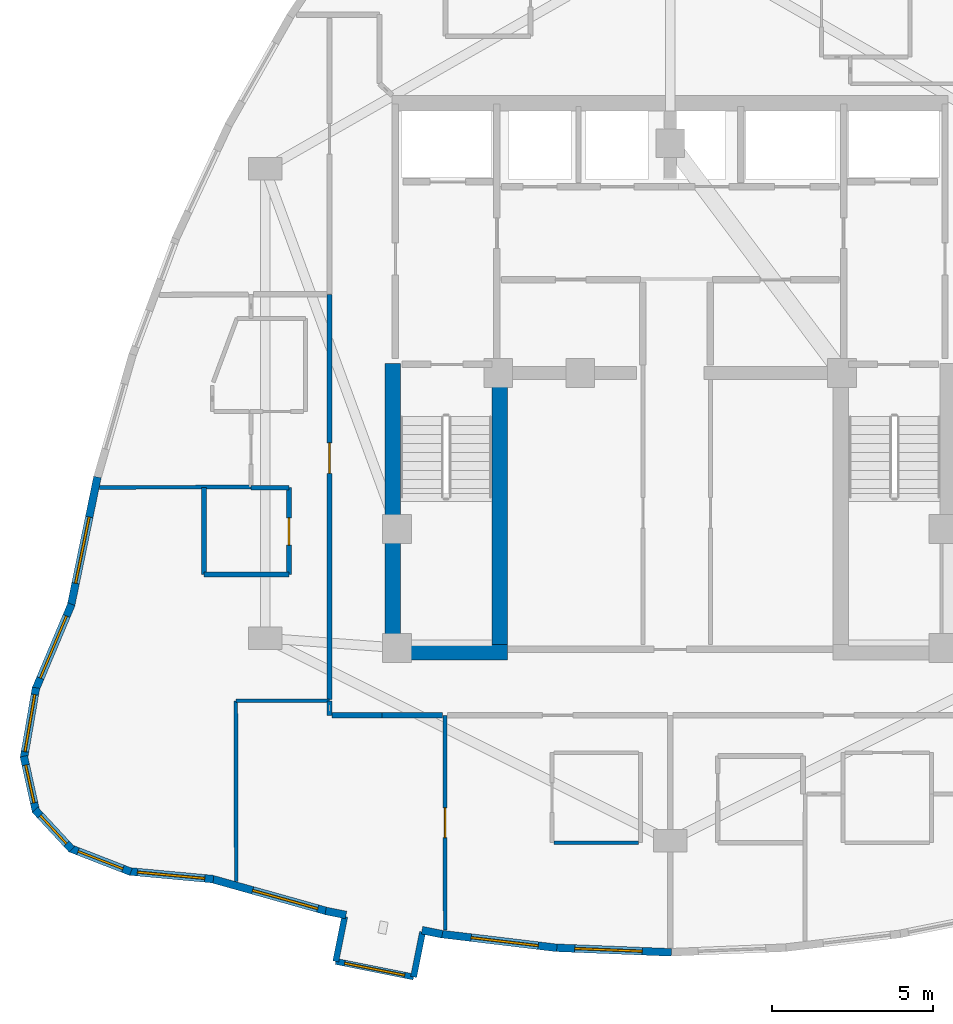
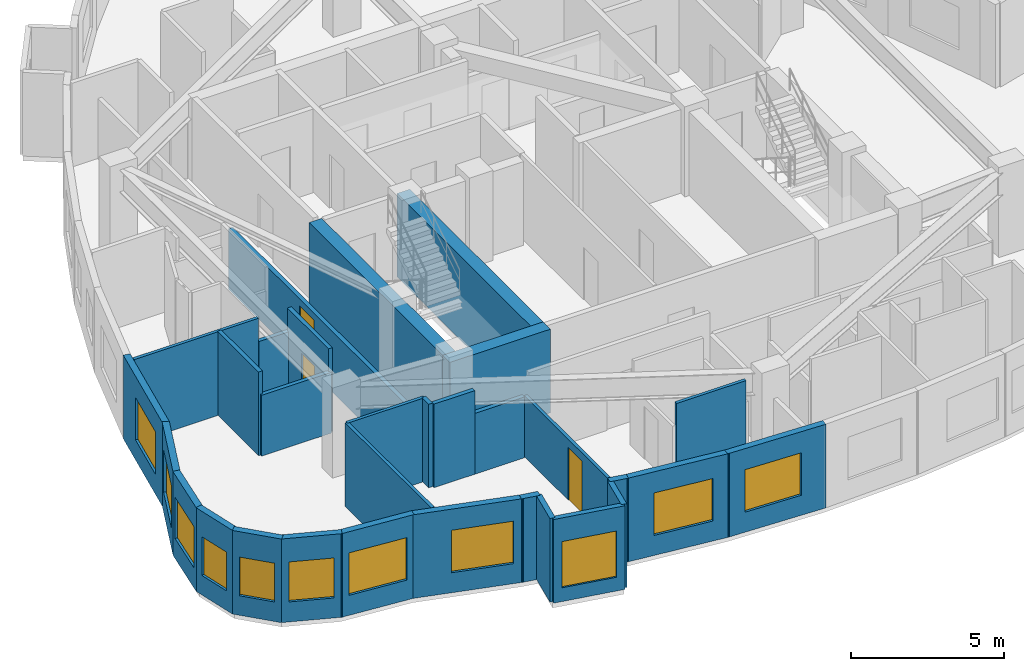
# One storey, part 7 of 13: 31 walls, 11 windows, 3 doors, 14 openings.
"""IFC4 building model written with IfcOpenShell, lengths in metres."""

from ifc_helpers import new_model, si_unit, direction, frame, frame_2d, origin, place, context, subcontext, project, spatial, rectangle, extrude, material, layer, layer_set, type_object, element, fill, save


model = new_model("IFC4")

# Units and contexts
model_context = context("Model", 3, precision=1e-05, world=origin(), true_north=direction((0.0, 1.0)))
body_context = subcontext(model_context, "Body", "Model", "MODEL_VIEW")
ifc_project = project(units=[si_unit("LENGTHUNIT", "METRE"), si_unit("AREAUNIT", "SQUARE_METRE"), si_unit("VOLUMEUNIT", "CUBIC_METRE"), si_unit("PLANEANGLEUNIT", "RADIAN"), si_unit("MASSUNIT", "GRAM", prefix="KILO")], contexts=[model_context])

# Site, building, storey
site_placement = place(None, origin())
site = spatial("IfcSite", under=ifc_project, at=site_placement, CompositionType="ELEMENT")
building_placement = place(site_placement, origin())
building = spatial("IfcBuilding", under=site, at=building_placement, Name="Miruveldt Soraemaru", CompositionType="ELEMENT")
storey_placement = place(building_placement, frame((0.0, 0.0, 198.0)))
storey = spatial("IfcBuildingStorey", under=building, at=storey_placement, Name="L54", CompositionType="ELEMENT", Elevation=198.0)

# Walls
ifc_material_1 = material(Name="White powder-coated aluminium EN AW-6060 T6", Category="aluminium")
ifc_layer_1 = layer(ifc_material_1, 0.18994140625, Name="White powder-coated aluminium EN AW-6060 T6", Category="aluminium")
ifc_layer_set_1 = layer_set([ifc_layer_1], Name="White powder-coated aluminium EN AW-6060 T6")
wall_type_1 = type_object("IfcWallType", Name="WALL-BAY-ALU190", PredefinedType="SOLIDWALL", material=ifc_layer_set_1)
for number, where, z_axis, x_axis, name in (
    (1, (33.871337890625, 27.138671875, 0.0), (0.0, 0.0, 1.0), (-0.196149079112, -0.980574086321, 0.0), "L54 Bay Window Side Cheek 2L"),
    (2, (36.014892578125, 25.256591796875, 0.0), (0.0, 0.0, 1.0), (0.195984352603, 0.980607022989, 0.0), "L54 Bay Window Side Cheek 2R"),
):
    element("IfcWall", number, at=place(storey_placement, frame(where, z_axis=z_axis, x_axis=x_axis)), inside=storey, type_object=wall_type_1, Name=name, PredefinedType="SOLIDWALL", context=body_context, shape_type="SweptSolid", body=[
        extrude(rectangle(XDim=1.425048828125, YDim=0.18994140625, at=frame_2d((0.71240234375, 0.0))), origin(), (0.0, 0.0, 1.0), 3.344970703125),
    ])

# Wall, opening, window
wall_1_placement = place(storey_placement, frame((33.591796875, 25.7412109375, 0.0), z_axis=(0.0, 0.0, 1.0), x_axis=(0.980580675691, -0.196116135138, 0.0)))
wall_1 = element("IfcWall", 3, at=wall_1_placement, inside=storey, type_object=wall_type_1, Name="L54 Bay Window Front Frame 2", PredefinedType="SOLIDWALL", context=body_context, shape_type="SweptSolid", body=[
    extrude(rectangle(XDim=2.47119140625, YDim=0.18994140625, at=frame_2d((1.235595703125, 0.0))), origin(), (0.0, 0.0, 1.0), 3.344970703125),
])
opening_1_placement = place(wall_1_placement, frame((0.284912109375, 0.0, 0.550048828125)))
opening_1 = element("IfcOpeningElement", 4, at=opening_1_placement, cuts=wall_1, Name="Opening WN-6", PredefinedType="OPENING", context=body_context, shape_type="SweptSolid", body=[
    extrude(rectangle(XDim=1.89990234375, YDim=1.85009765625, at=frame_2d((0.949951171875, 0.925048828125))), frame((0.0, 0.10498046875, 0.0), z_axis=(0.0, -1.0, 0.0), x_axis=(1.0, 0.0, 0.0)), (0.0, 0.0, 1.0), 0.2099609375),
])
ifc_material_2 = material(Name="Triple low-e insulated glazing", Category="glass")
window_type_1 = type_object("IfcWindowType", Name="WIN-BAYW-1900x1850", PartitioningType="SINGLE_PANEL", PredefinedType="WINDOW", material=ifc_material_2)
window_1_placement = place(opening_1_placement, origin())
window_1 = element("IfcWindow", 5, at=window_1_placement, inside=storey, type_object=window_type_1, Name="L54 Projecting Bay Window 2", OverallHeight=1.85009765625, OverallWidth=1.89990234375, PartitioningType="SINGLE_PANEL", PredefinedType="WINDOW", context=body_context, shape_type="SweptSolid", body=[
    extrude(rectangle(XDim=1.89990234375, YDim=1.85009765625, at=frame_2d((0.949951171875, 0.925048828125))), frame((0.0, 0.030029296875, 0.0), z_axis=(0.0, -1.0, 0.0), x_axis=(1.0, 0.0, 0.0)), (0.0, 0.0, 1.0), 0.06005859375),
])
fill(opening_1, window_1)

# Walls
ifc_material_3 = material(Name="Concrete C60/75 (60 MPa)", Category="concrete")
ifc_layer_2 = layer(ifc_material_3, 0.47998046875, Name="Concrete C60/75 (60 MPa)", Category="concrete")
ifc_layer_set_2 = layer_set([ifc_layer_2], Name="Concrete C60/75 (60 MPa)")
wall_type_2 = type_object("IfcWallType", Name="WALL-CW-480", PredefinedType="SHEAR", material=ifc_layer_set_2)
wall_2_placement = place(storey_placement, frame((35.1201171875, 35.360107421875, 0.0), z_axis=(0.0, 0.0, 1.0), x_axis=(1.0, 0.0, 0.0)))
element("IfcWall", 6, at=wall_2_placement, inside=storey, type_object=wall_type_2, Name="L54 Central Core Shear Wall S1", PredefinedType="SHEAR", context=body_context, shape_type="SweptSolid", body=[
    extrude(rectangle(XDim=3.809814453125, YDim=0.47998046875, at=frame_2d((1.90478515625, 0.0))), origin(), (0.0, 0.0, 1.0), 3.344970703125),
])
wall_3_placement = place(storey_placement, frame((35.360107421875, 35.1201171875, 0.0), z_axis=(0.0, 0.0, 1.0), x_axis=(0.0, 1.0, 0.0)))
element("IfcWall", 7, at=wall_3_placement, inside=storey, type_object=wall_type_2, Name="L54 Central Core Shear Wall W1", PredefinedType="SHEAR", context=body_context, shape_type="SweptSolid", body=[
    extrude(rectangle(XDim=9.22998046875, YDim=0.47998046875, at=frame_2d((4.614990234375, 0.0))), origin(), (0.0, 0.0, 1.0), 3.344970703125),
])
wall_4_placement = place(storey_placement, frame((38.68994140625, 35.39990234375, 0.0), z_axis=(0.0, 0.0, 1.0), x_axis=(0.0, 1.0, 0.0)))
element("IfcWall", 8, at=wall_4_placement, inside=storey, type_object=wall_type_2, Name="L54 Central Core Shear Wall SW-INT", PredefinedType="SHEAR", context=body_context, shape_type="SweptSolid", body=[
    extrude(rectangle(XDim=8.9501953125, YDim=0.47998046875, at=frame_2d((4.47509765625, 0.0))), origin(), (0.0, 0.0, 1.0), 3.344970703125),
])

# Wall, opening, window
ifc_material_4 = material(Name="Precast concrete C45/55 (45 MPa)", Category="concrete")
ifc_layer_3 = layer(ifc_material_4, 0.239990234375, Name="Precast concrete C45/55 (45 MPa)", Category="concrete")
ifc_layer_set_3 = layer_set([ifc_layer_3], Name="Precast concrete C45/55 (45 MPa)")
wall_type_3 = type_object("IfcWallType", Name="WALL-EXT-PC240", PredefinedType="SOLIDWALL", material=ifc_layer_set_3)
wall_5_placement = place(storey_placement, frame((26.177490234375, 40.814697265625, 0.0), z_axis=(0.0, 0.0, 1.0), x_axis=(-0.2015657063, -0.979474995109, 0.0)))
wall_5 = element("IfcWall", 9, at=wall_5_placement, inside=storey, type_object=wall_type_3, Name="L54 Precast Concrete Facade Wall 14", PredefinedType="SOLIDWALL", context=body_context, shape_type="SweptSolid", body=[
    extrude(rectangle(XDim=4.107177734375, YDim=0.239990234375, at=frame_2d((2.0537109375, 0.0))), origin(), (0.0, 0.0, 1.0), 3.344970703125),
])
opening_2_placement = place(wall_5_placement, frame((1.27490234375, 0.0, 0.800048828125)))
opening_2 = element("IfcOpeningElement", 10, at=opening_2_placement, cuts=wall_5, Name="Opening WN-1", PredefinedType="OPENING", context=body_context, shape_type="SweptSolid", body=[
    extrude(rectangle(XDim=2.10009765625, YDim=1.699951171875, at=frame_2d((1.050048828125, 0.85009765625))), frame((0.0, 0.1298828125, 0.0), z_axis=(0.0, -1.0, 0.0), x_axis=(1.0, 0.0, 0.0)), (0.0, 0.0, 1.0), 0.260009765625),
])
window_type_2 = type_object("IfcWindowType", Name="WIN-PUNCH-2100x1700", PartitioningType="SINGLE_PANEL", PredefinedType="WINDOW", material=ifc_material_2)
window_2_placement = place(opening_2_placement, origin())
window_2 = element("IfcWindow", 11, at=window_2_placement, inside=storey, type_object=window_type_2, Name="L54 Punched Triple-Glazed Window 14.1", OverallHeight=1.699951171875, OverallWidth=2.10009765625, PartitioningType="SINGLE_PANEL", PredefinedType="WINDOW", context=body_context, shape_type="SweptSolid", body=[
    extrude(rectangle(XDim=2.10009765625, YDim=1.699951171875, at=frame_2d((1.050048828125, 0.85009765625))), frame((0.0, 0.030029296875, 0.0), z_axis=(0.0, -1.0, 0.0), x_axis=(1.0, 0.0, 0.0)), (0.0, 0.0, 1.0), 0.06005859375),
])
fill(opening_2, window_2)

wall_6_placement = place(storey_placement, frame((25.370361328125, 36.858154296875, 0.0), z_axis=(0.0, 0.0, 1.0), x_axis=(-0.38865241966, -0.921384445654, 0.0)))
wall_6 = element("IfcWall", 12, at=wall_6_placement, inside=storey, type_object=wall_type_3, Name="L54 Precast Concrete Facade Wall 15", PredefinedType="SOLIDWALL", context=body_context, shape_type="SweptSolid", body=[
    extrude(rectangle(XDim=2.895751953125, YDim=0.239990234375, at=frame_2d((1.44775390625, 0.0))), origin(), (0.0, 0.0, 1.0), 3.344970703125),
])
opening_3_placement = place(wall_6_placement, frame((0.39794921875, 0.0, 0.800048828125)))
opening_3 = element("IfcOpeningElement", 13, at=opening_3_placement, cuts=wall_6, Name="Opening WN-1", PredefinedType="OPENING", context=body_context, shape_type="SweptSolid", body=[
    extrude(rectangle(XDim=2.10009765625, YDim=1.699951171875, at=frame_2d((1.050048828125, 0.85009765625))), frame((0.0, 0.1298828125, 0.0), z_axis=(0.0, -1.0, 0.0), x_axis=(1.0, 0.0, 0.0)), (0.0, 0.0, 1.0), 0.260009765625),
])
window_3_placement = place(opening_3_placement, origin())
window_3 = element("IfcWindow", 14, at=window_3_placement, inside=storey, type_object=window_type_2, Name="L54 Punched Triple-Glazed Window 15.1", OverallHeight=1.699951171875, OverallWidth=2.10009765625, PartitioningType="SINGLE_PANEL", PredefinedType="WINDOW", context=body_context, shape_type="SweptSolid", body=[
    extrude(rectangle(XDim=2.10009765625, YDim=1.699951171875, at=frame_2d((1.050048828125, 0.85009765625))), frame((0.0, 0.030029296875, 0.0), z_axis=(0.0, -1.0, 0.0), x_axis=(1.0, 0.0, 0.0)), (0.0, 0.0, 1.0), 0.06005859375),
])
fill(opening_3, window_3)

wall_7_placement = place(storey_placement, frame((24.264404296875, 34.256591796875, 0.0), z_axis=(0.0, 0.0, 1.0), x_axis=(-0.169346387862, -0.985556594477, 0.0)))
wall_7 = element("IfcWall", 15, at=wall_7_placement, inside=storey, type_object=wall_type_3, Name="L54 Precast Concrete Facade Wall 16", PredefinedType="SOLIDWALL", context=body_context, shape_type="SweptSolid", body=[
    extrude(rectangle(XDim=2.231689453125, YDim=0.239990234375, at=frame_2d((1.11572265625, 0.0))), origin(), (0.0, 0.0, 1.0), 3.344970703125),
])
opening_4_placement = place(wall_7_placement, frame((0.216064453125, 0.0, 0.800048828125)))
opening_4 = element("IfcOpeningElement", 16, at=opening_4_placement, cuts=wall_7, Name="Opening WN-2", PredefinedType="OPENING", context=body_context, shape_type="SweptSolid", body=[
    extrude(rectangle(XDim=1.800048828125, YDim=1.64990234375, at=frame_2d((0.89990234375, 0.824951171875))), frame((0.0, 0.1298828125, 0.0), z_axis=(0.0, -1.0, 0.0), x_axis=(1.0, 0.0, 0.0)), (0.0, 0.0, 1.0), 0.260009765625),
])
window_type_3 = type_object("IfcWindowType", Name="WIN-PUNCH-1800x1650", PartitioningType="SINGLE_PANEL", PredefinedType="WINDOW", material=ifc_material_2)
window_4_placement = place(opening_4_placement, origin())
window_4 = element("IfcWindow", 17, at=window_4_placement, inside=storey, type_object=window_type_3, Name="L54 Punched Triple-Glazed Window 16.1", OverallHeight=1.64990234375, OverallWidth=1.800048828125, PartitioningType="SINGLE_PANEL", PredefinedType="WINDOW", context=body_context, shape_type="SweptSolid", body=[
    extrude(rectangle(XDim=1.800048828125, YDim=1.64990234375, at=frame_2d((0.89990234375, 0.824951171875))), frame((0.0, 0.030029296875, 0.0), z_axis=(0.0, -1.0, 0.0), x_axis=(1.0, 0.0, 0.0)), (0.0, 0.0, 1.0), 0.06005859375),
])
fill(opening_4, window_4)

wall_8_placement = place(storey_placement, frame((23.884765625, 32.125732421875, 0.0), z_axis=(0.0, 0.0, 1.0), x_axis=(0.215818470806, -0.976433503962, 0.0)))
wall_8 = element("IfcWall", 18, at=wall_8_placement, inside=storey, type_object=wall_type_3, Name="L54 Precast Concrete Facade Wall 17", PredefinedType="SOLIDWALL", context=body_context, shape_type="SweptSolid", body=[
    extrude(rectangle(XDim=1.76708984375, YDim=0.239990234375, at=frame_2d((0.883544921875, 0.0))), origin(), (0.0, 0.0, 1.0), 3.344970703125),
])
opening_5_placement = place(wall_8_placement, frame((0.282958984375, 0.0, 0.780029296875)))
opening_5 = element("IfcOpeningElement", 19, at=opening_5_placement, cuts=wall_8, Name="Opening WN-4", PredefinedType="OPENING", context=body_context, shape_type="SweptSolid", body=[
    extrude(rectangle(XDim=1.199951171875, YDim=1.550048828125, at=frame_2d((0.60009765625, 0.77490234375))), frame((0.0, 0.1298828125, 0.0), z_axis=(0.0, -1.0, 0.0), x_axis=(1.0, 0.0, 0.0)), (0.0, 0.0, 1.0), 0.260009765625),
])
window_type_4 = type_object("IfcWindowType", Name="WIN-PUNCH-1200x1550", PartitioningType="SINGLE_PANEL", PredefinedType="WINDOW", material=ifc_material_2)
window_5_placement = place(opening_5_placement, origin())
window_5 = element("IfcWindow", 20, at=window_5_placement, inside=storey, type_object=window_type_4, Name="L54 Punched Triple-Glazed Window 17.1", OverallHeight=1.550048828125, OverallWidth=1.199951171875, PartitioningType="SINGLE_PANEL", PredefinedType="WINDOW", context=body_context, shape_type="SweptSolid", body=[
    extrude(rectangle(XDim=1.199951171875, YDim=1.550048828125, at=frame_2d((0.60009765625, 0.77490234375))), frame((0.0, 0.030029296875, 0.0), z_axis=(0.0, -1.0, 0.0), x_axis=(1.0, 0.0, 0.0)), (0.0, 0.0, 1.0), 0.06005859375),
])
fill(opening_5, window_5)

wall_9_placement = place(storey_placement, frame((24.234619140625, 30.460205078125, 0.0), z_axis=(0.0, 0.0, 1.0), x_axis=(0.680167597327, -0.733056641431, 0.0)))
wall_9 = element("IfcWall", 21, at=wall_9_placement, inside=storey, type_object=wall_type_3, Name="L54 Precast Concrete Facade Wall 18", PredefinedType="SOLIDWALL", context=body_context, shape_type="SweptSolid", body=[
    extrude(rectangle(XDim=1.684814453125, YDim=0.239990234375, at=frame_2d((0.84228515625, 0.0))), origin(), (0.0, 0.0, 1.0), 3.344970703125),
])
opening_6_placement = place(wall_9_placement, frame((0.241943359375, 0.0, 0.780029296875)))
opening_6 = element("IfcOpeningElement", 22, at=opening_6_placement, cuts=wall_9, Name="Opening WN-4", PredefinedType="OPENING", context=body_context, shape_type="SweptSolid", body=[
    extrude(rectangle(XDim=1.199951171875, YDim=1.550048828125, at=frame_2d((0.60009765625, 0.77490234375))), frame((0.0, 0.1298828125, 0.0), z_axis=(0.0, -1.0, 0.0), x_axis=(1.0, 0.0, 0.0)), (0.0, 0.0, 1.0), 0.260009765625),
])
window_6_placement = place(opening_6_placement, origin())
window_6 = element("IfcWindow", 23, at=window_6_placement, inside=storey, type_object=window_type_4, Name="L54 Punched Triple-Glazed Window 18.1", OverallHeight=1.550048828125, OverallWidth=1.199951171875, PartitioningType="SINGLE_PANEL", PredefinedType="WINDOW", context=body_context, shape_type="SweptSolid", body=[
    extrude(rectangle(XDim=1.199951171875, YDim=1.550048828125, at=frame_2d((0.60009765625, 0.77490234375))), frame((0.0, 0.030029296875, 0.0), z_axis=(0.0, -1.0, 0.0), x_axis=(1.0, 0.0, 0.0)), (0.0, 0.0, 1.0), 0.06005859375),
])
fill(opening_6, window_6)

wall_10_placement = place(storey_placement, frame((25.32421875, 29.263671875, 0.0), z_axis=(0.0, 0.0, 1.0), x_axis=(0.932261326856, -0.361785597349, 0.0)))
wall_10 = element("IfcWall", 24, at=wall_10_placement, inside=storey, type_object=wall_type_3, Name="L54 Precast Concrete Facade Wall 19", PredefinedType="SOLIDWALL", context=body_context, shape_type="SweptSolid", body=[
    extrude(rectangle(XDim=2.033203125, YDim=0.239990234375, at=frame_2d((1.0166015625, 0.0))), origin(), (0.0, 0.0, 1.0), 3.344970703125),
])
opening_7_placement = place(wall_10_placement, frame((0.26611328125, 0.0, 0.800048828125)))
opening_7 = element("IfcOpeningElement", 25, at=opening_7_placement, cuts=wall_10, Name="Opening WN-3", PredefinedType="OPENING", context=body_context, shape_type="SweptSolid", body=[
    extrude(rectangle(XDim=1.5, YDim=1.60009765625, at=frame_2d((0.75, 0.800048828125))), frame((0.0, 0.1298828125, 0.0), z_axis=(0.0, -1.0, 0.0), x_axis=(1.0, 0.0, 0.0)), (0.0, 0.0, 1.0), 0.260009765625),
])
window_type_5 = type_object("IfcWindowType", Name="WIN-PUNCH-1500x1600", PartitioningType="SINGLE_PANEL", PredefinedType="WINDOW", material=ifc_material_2)
window_7_placement = place(opening_7_placement, origin())
window_7 = element("IfcWindow", 26, at=window_7_placement, inside=storey, type_object=window_type_5, Name="L54 Punched Triple-Glazed Window 19.1", OverallHeight=1.60009765625, OverallWidth=1.5, PartitioningType="SINGLE_PANEL", PredefinedType="WINDOW", context=body_context, shape_type="SweptSolid", body=[
    extrude(rectangle(XDim=1.5, YDim=1.60009765625, at=frame_2d((0.75, 0.800048828125))), frame((0.0, 0.030029296875, 0.0), z_axis=(0.0, -1.0, 0.0), x_axis=(1.0, 0.0, 0.0)), (0.0, 0.0, 1.0), 0.06005859375),
])
fill(opening_7, window_7)

wall_11_placement = place(storey_placement, frame((27.15234375, 28.5439453125, 0.0), z_axis=(0.0, 0.0, 1.0), x_axis=(0.995760434539, -0.091984547654, 0.0)))
wall_11 = element("IfcWall", 27, at=wall_11_placement, inside=storey, type_object=wall_type_3, Name="L54 Precast Concrete Facade Wall 20", PredefinedType="SOLIDWALL", context=body_context, shape_type="SweptSolid", body=[
    extrude(rectangle(XDim=2.6435546875, YDim=0.239990234375, at=frame_2d((1.32177734375, 0.0))), origin(), (0.0, 0.0, 1.0), 3.344970703125),
])
opening_8_placement = place(wall_11_placement, frame((0.27197265625, 0.0, 0.800048828125)))
opening_8 = element("IfcOpeningElement", 28, at=opening_8_placement, cuts=wall_11, Name="Opening WN-1", PredefinedType="OPENING", context=body_context, shape_type="SweptSolid", body=[
    extrude(rectangle(XDim=2.10009765625, YDim=1.699951171875, at=frame_2d((1.050048828125, 0.85009765625))), frame((0.0, 0.1298828125, 0.0), z_axis=(0.0, -1.0, 0.0), x_axis=(1.0, 0.0, 0.0)), (0.0, 0.0, 1.0), 0.260009765625),
])
window_8_placement = place(opening_8_placement, origin())
window_8 = element("IfcWindow", 29, at=window_8_placement, inside=storey, type_object=window_type_2, Name="L54 Punched Triple-Glazed Window 20.1", OverallHeight=1.699951171875, OverallWidth=2.10009765625, PartitioningType="SINGLE_PANEL", PredefinedType="WINDOW", context=body_context, shape_type="SweptSolid", body=[
    extrude(rectangle(XDim=2.10009765625, YDim=1.699951171875, at=frame_2d((1.050048828125, 0.85009765625))), frame((0.0, 0.030029296875, 0.0), z_axis=(0.0, -1.0, 0.0), x_axis=(1.0, 0.0, 0.0)), (0.0, 0.0, 1.0), 0.06005859375),
])
fill(opening_8, window_8)

wall_12_placement = place(storey_placement, frame((29.716064453125, 28.3134765625, 0.0), z_axis=(0.0, 0.0, 1.0), x_axis=(0.962964692372, -0.26962752316, 0.0)))
wall_12 = element("IfcWall", 30, at=wall_12_placement, inside=storey, type_object=wall_type_3, Name="L54 Precast Concrete Facade Wall 21", PredefinedType="SOLIDWALL", context=body_context, shape_type="SweptSolid", body=[
    extrude(rectangle(XDim=3.76953125, YDim=0.239990234375, at=frame_2d((1.884765625, 0.0))), origin(), (0.0, 0.0, 1.0), 3.344970703125),
])
opening_9_placement = place(wall_12_placement, frame((1.341064453125, 0.0, 0.800048828125)))
opening_9 = element("IfcOpeningElement", 31, at=opening_9_placement, cuts=wall_12, Name="Opening WN-1", PredefinedType="OPENING", context=body_context, shape_type="SweptSolid", body=[
    extrude(rectangle(XDim=2.10009765625, YDim=1.699951171875, at=frame_2d((1.050048828125, 0.85009765625))), frame((0.0, 0.1298828125, 0.0), z_axis=(0.0, -1.0, 0.0), x_axis=(1.0, 0.0, 0.0)), (0.0, 0.0, 1.0), 0.260009765625),
])
window_9_placement = place(opening_9_placement, origin())
window_9 = element("IfcWindow", 32, at=window_9_placement, inside=storey, type_object=window_type_2, Name="L54 Punched Triple-Glazed Window 21.1", OverallHeight=1.699951171875, OverallWidth=2.10009765625, PartitioningType="SINGLE_PANEL", PredefinedType="WINDOW", context=body_context, shape_type="SweptSolid", body=[
    extrude(rectangle(XDim=2.10009765625, YDim=1.699951171875, at=frame_2d((1.050048828125, 0.85009765625))), frame((0.0, 0.030029296875, 0.0), z_axis=(0.0, -1.0, 0.0), x_axis=(1.0, 0.0, 0.0)), (0.0, 0.0, 1.0), 0.06005859375),
])
fill(opening_9, window_9)

# Walls
wall_13_placement = place(storey_placement, frame((33.278076171875, 27.3134765625, 0.0), z_axis=(0.0, 0.0, 1.0), x_axis=(0.980507945873, -0.19647943424, 0.0)))
element("IfcWall", 33, at=wall_13_placement, inside=storey, type_object=wall_type_3, Name="L54 Precast Pier Wall 22A", PredefinedType="SOLIDWALL", context=body_context, shape_type="SweptSolid", body=[
    extrude(rectangle(XDim=0.646240234375, YDim=0.239990234375, at=frame_2d((0.3232421875, 0.0))), origin(), (0.0, 0.0, 1.0), 3.344970703125),
])
wall_14_placement = place(storey_placement, frame((36.275634765625, 26.7138671875, 0.0), z_axis=(0.0, 0.0, 1.0), x_axis=(0.980580675691, -0.196116135138, 0.0)))
element("IfcWall", 34, at=wall_14_placement, inside=storey, type_object=wall_type_3, Name="L54 Precast Pier Wall 22B", PredefinedType="SOLIDWALL", context=body_context, shape_type="SweptSolid", body=[
    extrude(rectangle(XDim=0.64599609375, YDim=0.239990234375, at=frame_2d((0.322998046875, 0.0))), origin(), (0.0, 0.0, 1.0), 3.344970703125),
])

# Wall, opening, window
wall_15_placement = place(storey_placement, frame((36.840087890625, 26.59814453125, 0.0), z_axis=(0.0, 0.0, 1.0), x_axis=(0.992878733164, -0.119129430577, 0.0)))
wall_15 = element("IfcWall", 35, at=wall_15_placement, inside=storey, type_object=wall_type_3, Name="L54 Precast Concrete Facade Wall 23", PredefinedType="SOLIDWALL", context=body_context, shape_type="SweptSolid", body=[
    extrude(rectangle(XDim=3.658203125, YDim=0.239990234375, at=frame_2d((1.8291015625, 0.0))), origin(), (0.0, 0.0, 1.0), 3.344970703125),
])
opening_10_placement = place(wall_15_placement, frame((0.970947265625, 0.0, 0.800048828125)))
opening_10 = element("IfcOpeningElement", 36, at=opening_10_placement, cuts=wall_15, Name="Opening WN-1", PredefinedType="OPENING", context=body_context, shape_type="SweptSolid", body=[
    extrude(rectangle(XDim=2.10009765625, YDim=1.699951171875, at=frame_2d((1.050048828125, 0.85009765625))), frame((0.0, 0.1298828125, 0.0), z_axis=(0.0, -1.0, 0.0), x_axis=(1.0, 0.0, 0.0)), (0.0, 0.0, 1.0), 0.260009765625),
])
window_10_placement = place(opening_10_placement, origin())
window_10 = element("IfcWindow", 37, at=window_10_placement, inside=storey, type_object=window_type_2, Name="L54 Punched Triple-Glazed Window 23.1", OverallHeight=1.699951171875, OverallWidth=2.10009765625, PartitioningType="SINGLE_PANEL", PredefinedType="WINDOW", context=body_context, shape_type="SweptSolid", body=[
    extrude(rectangle(XDim=2.10009765625, YDim=1.699951171875, at=frame_2d((1.050048828125, 0.85009765625))), frame((0.0, 0.030029296875, 0.0), z_axis=(0.0, -1.0, 0.0), x_axis=(1.0, 0.0, 0.0)), (0.0, 0.0, 1.0), 0.06005859375),
])
fill(opening_10, window_10)

wall_16_placement = place(storey_placement, frame((40.40234375, 26.16796875, 0.0), z_axis=(0.0, 0.0, 1.0), x_axis=(0.999201387771, -0.039957310688, 0.0)))
wall_16 = element("IfcWall", 38, at=wall_16_placement, inside=storey, type_object=wall_type_3, Name="L54 Precast Concrete Facade Wall 24", PredefinedType="SOLIDWALL", context=body_context, shape_type="SweptSolid", body=[
    extrude(rectangle(XDim=3.635498046875, YDim=0.239990234375, at=frame_2d((1.81787109375, 0.0))), origin(), (0.0, 0.0, 1.0), 3.344970703125),
])
opening_11_placement = place(wall_16_placement, frame((0.626953125, 0.0, 0.800048828125)))
opening_11 = element("IfcOpeningElement", 39, at=opening_11_placement, cuts=wall_16, Name="Opening WN-1", PredefinedType="OPENING", context=body_context, shape_type="SweptSolid", body=[
    extrude(rectangle(XDim=2.10009765625, YDim=1.699951171875, at=frame_2d((1.050048828125, 0.85009765625))), frame((0.0, 0.1298828125, 0.0), z_axis=(0.0, -1.0, 0.0), x_axis=(1.0, 0.0, 0.0)), (0.0, 0.0, 1.0), 0.260009765625),
])
window_11_placement = place(opening_11_placement, origin())
window_11 = element("IfcWindow", 40, at=window_11_placement, inside=storey, type_object=window_type_2, Name="L54 Punched Triple-Glazed Window 24.1", OverallHeight=1.699951171875, OverallWidth=2.10009765625, PartitioningType="SINGLE_PANEL", PredefinedType="WINDOW", context=body_context, shape_type="SweptSolid", body=[
    extrude(rectangle(XDim=2.10009765625, YDim=1.699951171875, at=frame_2d((1.050048828125, 0.85009765625))), frame((0.0, 0.030029296875, 0.0), z_axis=(0.0, -1.0, 0.0), x_axis=(1.0, 0.0, 0.0)), (0.0, 0.0, 1.0), 0.06005859375),
])
fill(opening_11, window_11)

# Wall, opening, door
ifc_material_5 = material(Name="Gypsum plasterboard lining", Category="gypsum")
ifc_layer_4 = layer(ifc_material_5, 0.1201171875, Name="Gypsum plasterboard lining", Category="gypsum")
ifc_layer_set_4 = layer_set([ifc_layer_4], Name="Gypsum plasterboard lining")
wall_type_4 = type_object("IfcWallType", Name="WALL-INT-P120", PredefinedType="PARTITIONING", material=ifc_layer_set_4)
wall_17_placement = place(storey_placement, frame((36.990966796875, 33.39990234375, 0.0), z_axis=(0.0, 0.0, 1.0), x_axis=(0.001059127999, -0.999999439124, 0.0)))
wall_17 = element("IfcWall", 41, at=wall_17_placement, inside=storey, type_object=wall_type_4, Name="L54 Partition Wall 30", PredefinedType="PARTITIONING", context=body_context, shape_type="SweptSolid", body=[
    extrude(rectangle(XDim=6.684814453125, YDim=0.1201171875, at=frame_2d((3.34228515625, 0.0))), origin(), (0.0, 0.0, 1.0), 2.43310546875),
])
opening_12_placement = place(wall_17_placement, frame((2.883056640625, 0.0, 0.0)))
opening_12 = element("IfcOpeningElement", 42, at=opening_12_placement, cuts=wall_17, Name="Opening D3A", PredefinedType="OPENING", context=body_context, shape_type="SweptSolid", body=[
    extrude(rectangle(XDim=0.919921875, YDim=2.10009765625, at=frame_2d((0.4599609375, 1.050048828125))), frame((0.0, 0.070068359375, 0.0), z_axis=(0.0, -1.0, 0.0), x_axis=(1.0, 0.0, 0.0)), (0.0, 0.0, 1.0), 0.14013671875),
])
ifc_material_6 = material(Name="Anodised aluminium EN AW-6063 T6", Category="aluminium")
door_type_1 = type_object("IfcDoorType", Name="DOOR-INT-920", OperationType="NOTDEFINED", PredefinedType="DOOR", material=ifc_material_6)
door_1_placement = place(opening_12_placement, origin())
door_1 = element("IfcDoor", 43, at=door_1_placement, inside=storey, type_object=door_type_1, Name="L54 Unit 5402 BD2 Door", OperationType="SINGLE_SWING_LEFT", OverallHeight=2.10009765625, OverallWidth=0.919921875, PredefinedType="DOOR", context=body_context, shape_type="SweptSolid", body=[
    extrude(rectangle(XDim=0.919921875, YDim=2.10009765625, at=frame_2d((0.4599609375, 1.050048828125))), frame((0.0, 0.02490234375, 0.0), z_axis=(0.0, -1.0, 0.0), x_axis=(1.0, 0.0, 0.0)), (0.0, 0.0, 1.0), 0.050048828125),
])
fill(opening_12, door_1)

# Walls
wall_18_placement = place(storey_placement, frame((30.4970703125, 28.235107421875, 0.0), z_axis=(0.0, 0.0, 1.0), x_axis=(-0.002694822223, 0.99999636896, 0.0)))
element("IfcWall", 44, at=wall_18_placement, inside=storey, type_object=wall_type_4, Name="L54 Partition Wall 60", PredefinedType="PARTITIONING", context=body_context, shape_type="SweptSolid", body=[
    extrude(rectangle(XDim=5.616943359375, YDim=0.1201171875, at=frame_2d((2.80859375, 0.0))), origin(), (0.0, 0.0, 1.0), 3.344970703125),
])
wall_19_placement = place(storey_placement, frame((30.949951171875, 40.501953125, 0.0), z_axis=(0.0, 0.0, 1.0), x_axis=(-0.999997269097, -0.002337048928, 0.0)))
element("IfcWall", 45, at=wall_19_placement, inside=storey, type_object=wall_type_4, Name="L54 Partition Wall 63", PredefinedType="PARTITIONING", context=body_context, shape_type="SweptSolid", body=[
    extrude(rectangle(XDim=4.700927734375, YDim=0.1201171875, at=frame_2d((2.3505859375, 0.0))), origin(), (0.0, 0.0, 1.0), 3.344970703125),
])
wall_20_placement = place(storey_placement, frame((30.48193359375, 33.85205078125, 0.0), z_axis=(0.0, 0.0, 1.0), x_axis=(1.0, 0.0, 0.0)))
element("IfcWall", 46, at=wall_20_placement, inside=storey, type_object=wall_type_4, Name="L54 Partition Wall 61", PredefinedType="PARTITIONING", context=body_context, shape_type="SweptSolid", body=[
    extrude(rectangle(XDim=2.91796875, YDim=0.1201171875, at=frame_2d((1.458984375, 0.0))), origin(), (0.0, 0.0, 1.0), 3.344970703125),
])
wall_21_placement = place(storey_placement, frame((40.382080078125, 29.43603515625, 0.0), z_axis=(0.0, 0.0, 1.0), x_axis=(1.0, 0.0, 0.0)))
element("IfcWall", 47, at=wall_21_placement, inside=storey, type_object=wall_type_4, Name="L54 Partition Wall 29", PredefinedType="PARTITIONING", context=body_context, shape_type="SweptSolid", body=[
    extrude(rectangle(XDim=2.6298828125, YDim=0.1201171875, at=frame_2d((1.31494140625, 0.0))), origin(), (0.0, 0.0, 1.0), 3.344970703125),
])

# Wall, opening, door
ifc_layer_5 = layer(ifc_material_5, 0.14990234375, Name="Gypsum plasterboard lining", Category="gypsum")
ifc_layer_set_5 = layer_set([ifc_layer_5], Name="Gypsum plasterboard lining")
wall_type_5 = type_object("IfcWallType", Name="WALL-INT-PLUMB", PredefinedType="PLUMBINGWALL", material=ifc_layer_set_5)
wall_22_placement = place(storey_placement, frame((32.138916015625, 37.781982421875, 0.0), z_axis=(0.0, 0.0, 1.0), x_axis=(0.0, 1.0, 0.0)))
wall_22 = element("IfcWall", 48, at=wall_22_placement, inside=storey, type_object=wall_type_5, Name="L54 Partition Wall 32", PredefinedType="PLUMBINGWALL", context=body_context, shape_type="SweptSolid", body=[
    extrude(rectangle(XDim=2.699951171875, YDim=0.14990234375, at=frame_2d((1.35009765625, 0.0))), origin(), (0.0, 0.0, 1.0), 3.344970703125),
])
opening_13_placement = place(wall_22_placement, frame((0.909912109375, 0.0, 0.0)))
opening_13 = element("IfcOpeningElement", 49, at=opening_13_placement, cuts=wall_22, Name="Opening FD3", PredefinedType="OPENING", context=body_context, shape_type="SweptSolid", body=[
    extrude(rectangle(XDim=0.85009765625, YDim=2.10009765625, at=frame_2d((0.425048828125, 1.050048828125))), frame((0.0, 0.0849609375, 0.0), z_axis=(0.0, -1.0, 0.0), x_axis=(1.0, 0.0, 0.0)), (0.0, 0.0, 1.0), 0.169921875),
])
door_type_2 = type_object("IfcDoorType", Name="DOOR-FD3-850", OperationType="NOTDEFINED", PredefinedType="DOOR", material=ifc_material_6)
door_2_placement = place(opening_13_placement, origin())
door_2 = element("IfcDoor", 50, at=door_2_placement, inside=storey, type_object=door_type_2, Name="L54 Unit 5403 BTH Door", OperationType="SINGLE_SWING_LEFT", OverallHeight=2.10009765625, OverallWidth=0.85009765625, PredefinedType="DOOR", context=body_context, shape_type="SweptSolid", body=[
    extrude(rectangle(XDim=0.85009765625, YDim=2.10009765625, at=frame_2d((0.425048828125, 1.050048828125))), frame((0.0, 0.02490234375, 0.0), z_axis=(0.0, -1.0, 0.0), x_axis=(1.0, 0.0, 0.0)), (0.0, 0.0, 1.0), 0.050048828125),
])
fill(opening_13, door_2)

# Walls
wall_23_placement = place(storey_placement, frame((29.489013671875, 40.48193359375, 0.0), z_axis=(0.0, 0.0, 1.0), x_axis=(0.0, -1.0, 0.0)))
element("IfcWall", 51, at=wall_23_placement, inside=storey, type_object=wall_type_5, Name="L54 Partition Wall 34", PredefinedType="PLUMBINGWALL", context=body_context, shape_type="SweptSolid", body=[
    extrude(rectangle(XDim=2.699951171875, YDim=0.14990234375, at=frame_2d((1.35009765625, 0.0))), origin(), (0.0, 0.0, 1.0), 3.344970703125),
])
wall_24_placement = place(storey_placement, frame((32.138916015625, 40.48193359375, 0.0), z_axis=(0.0, 0.0, 1.0), x_axis=(-1.0, 0.0, 0.0)))
element("IfcWall", 52, at=wall_24_placement, inside=storey, type_object=wall_type_5, Name="L54 Partition Wall 33", PredefinedType="PLUMBINGWALL", context=body_context, shape_type="SweptSolid", body=[
    extrude(rectangle(XDim=1.18896484375, YDim=0.14990234375, at=frame_2d((0.594482421875, 0.0))), origin(), (0.0, 0.0, 1.0), 2.43310546875),
])
wall_25_placement = place(storey_placement, frame((29.489013671875, 37.781982421875, 0.0), z_axis=(0.0, 0.0, 1.0), x_axis=(1.0, 0.0, 0.0)))
element("IfcWall", 53, at=wall_25_placement, inside=storey, type_object=wall_type_5, Name="L54 Partition Wall 35", PredefinedType="PLUMBINGWALL", context=body_context, shape_type="SweptSolid", body=[
    extrude(rectangle(XDim=2.64990234375, YDim=0.14990234375, at=frame_2d((1.324951171875, 0.0))), origin(), (0.0, 0.0, 1.0), 2.43310546875),
])

# Wall, opening, door
ifc_material_7 = material(Name="Concrete C40/50 (40 MPa)", Category="concrete")
ifc_layer_6 = layer(ifc_material_7, 0.159912109375, Name="Concrete C40/50 (40 MPa)", Category="concrete")
ifc_layer_set_6 = layer_set([ifc_layer_6], Name="Concrete C40/50 (40 MPa)")
wall_type_6 = type_object("IfcWallType", Name="WALL-INT-RC160", PredefinedType="SOLIDWALL", material=ifc_layer_set_6)
wall_26_placement = place(storey_placement, frame((33.39990234375, 46.5, 0.0), z_axis=(0.0, 0.0, 1.0), x_axis=(0.0, -1.0, 0.0)))
wall_26 = element("IfcWall", 54, at=wall_26_placement, inside=storey, type_object=wall_type_6, Name="L54 Partition Wall 8", PredefinedType="SOLIDWALL", context=body_context, shape_type="SweptSolid", body=[
    extrude(rectangle(XDim=12.60302734375, YDim=0.159912109375, at=frame_2d((6.301513671875, 0.0))), origin(), (0.0, 0.0, 1.0), 2.43310546875),
])
opening_14_placement = place(wall_26_placement, frame((4.6240234375, 0.0, 0.0)))
opening_14 = element("IfcOpeningElement", 55, at=opening_14_placement, cuts=wall_26, Name="Opening FD2", PredefinedType="OPENING", context=body_context, shape_type="SweptSolid", body=[
    extrude(rectangle(XDim=0.949951171875, YDim=2.14990234375, at=frame_2d((0.47509765625, 1.074951171875))), frame((0.0, 0.08984375, 0.0), z_axis=(0.0, -1.0, 0.0), x_axis=(1.0, 0.0, 0.0)), (0.0, 0.0, 1.0), 0.179931640625),
])
door_type_3 = type_object("IfcDoorType", Name="DOOR-FD2-950", OperationType="NOTDEFINED", PredefinedType="DOOR", material=ifc_material_6)
door_3_placement = place(opening_14_placement, origin())
door_3 = element("IfcDoor", 56, at=door_3_placement, inside=storey, type_object=door_type_3, Name="L54 Unit 5403 Entrance Fire Door", OperationType="SINGLE_SWING_RIGHT", OverallHeight=2.14990234375, OverallWidth=0.949951171875, PredefinedType="DOOR", context=body_context, shape_type="SweptSolid", body=[
    extrude(rectangle(XDim=0.949951171875, YDim=2.14990234375, at=frame_2d((0.47509765625, 1.074951171875))), frame((0.0, 0.02490234375, 0.0), z_axis=(0.0, -1.0, 0.0), x_axis=(1.0, 0.0, 0.0)), (0.0, 0.0, 1.0), 0.050048828125),
])
fill(opening_14, door_3)

# Walls
wall_27_placement = place(storey_placement, frame((35.030029296875, 33.39990234375, 0.0), z_axis=(0.0, 0.0, 1.0), x_axis=(1.0, 0.0, 0.0)))
element("IfcWall", 57, at=wall_27_placement, inside=storey, type_object=wall_type_6, Name="L54 Partition Wall 7", PredefinedType="SOLIDWALL", context=body_context, shape_type="SweptSolid", body=[
    extrude(rectangle(XDim=1.880859375, YDim=0.159912109375, at=frame_2d((0.9404296875, 0.0))), origin(), (0.0, 0.0, 1.0), 2.43310546875),
])
wall_28_placement = place(storey_placement, frame((33.47998046875, 33.39990234375, 0.0), z_axis=(0.0, 0.0, 1.0), x_axis=(1.0, 0.0, 0.0)))
element("IfcWall", 58, at=wall_28_placement, inside=storey, type_object=wall_type_6, Name="L54 Partition Wall 6", PredefinedType="SOLIDWALL", context=body_context, shape_type="SweptSolid", body=[
    extrude(rectangle(XDim=1.550048828125, YDim=0.159912109375, at=frame_2d((0.77490234375, 0.0))), origin(), (0.0, 0.0, 1.0), 3.344970703125),
])
wall_29_placement = place(storey_placement, frame((33.39990234375, 33.85205078125, 0.0), z_axis=(0.0, 0.0, 1.0), x_axis=(0.0, -1.0, 0.0)))
element("IfcWall", 59, at=wall_29_placement, inside=storey, type_object=wall_type_6, Name="L54 Partition Wall 5", PredefinedType="SOLIDWALL", context=body_context, shape_type="SweptSolid", body=[
    extrude(rectangle(XDim=0.4521484375, YDim=0.159912109375, at=frame_2d((0.22607421875, 0.0))), origin(), (0.0, 0.0, 1.0), 3.344970703125),
])

save(model, "model.ifc")
